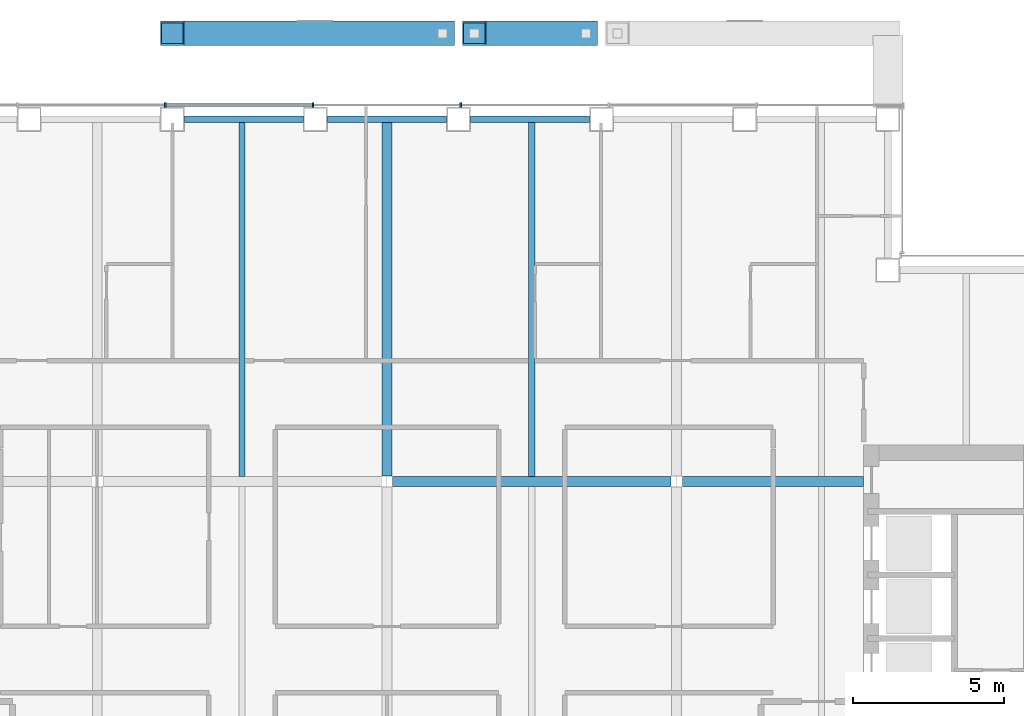
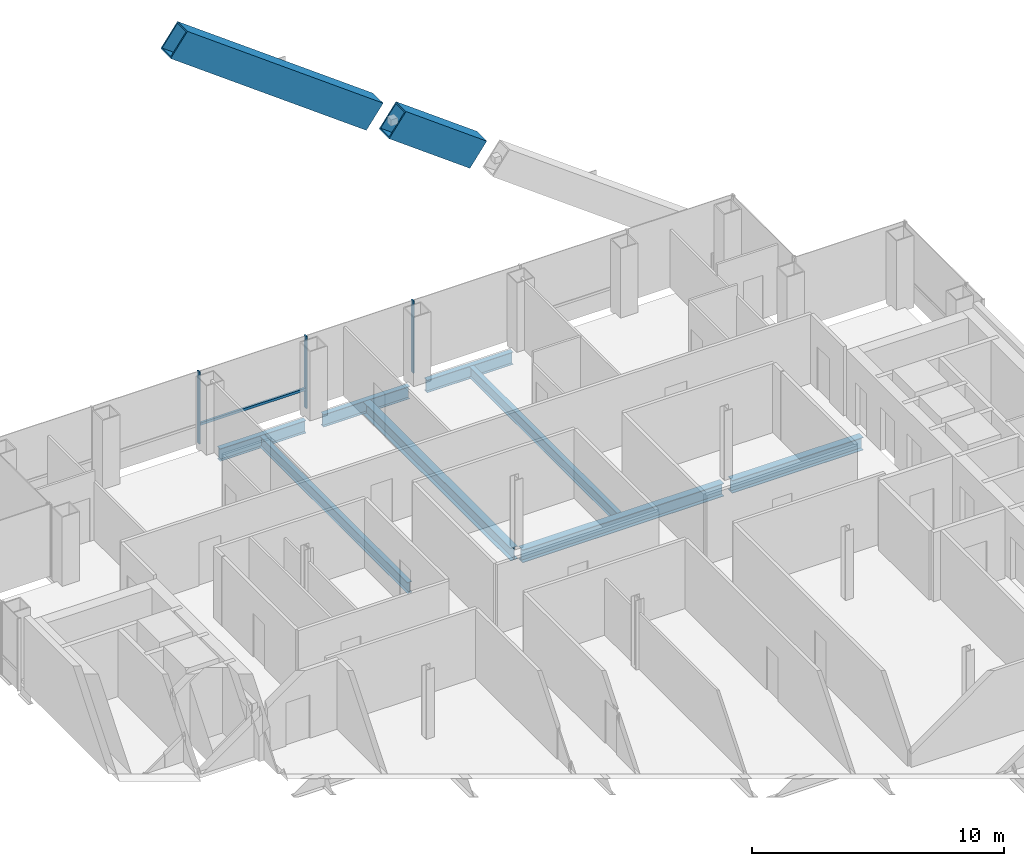
# One storey, part 9 of 17: 8 beams, 6 members, 1 element without a shape of its own.
"""IFC4 building model written with IfcOpenShell, lengths in metres."""

from ifc_helpers import new_model, si_unit, direction, frame, origin, origin_2d, place, context, subcontext, project, spatial, rectangle, hollow_rectangle, i_section, extrude, material, material_profile, profile_set, type_object, element, aggregate, save


model = new_model("IFC4")

# Units and contexts
model_context = context("Model", 3, precision=1e-05, world=origin(), true_north=direction((0.0, 1.0)))
body_context = subcontext(model_context, "Body", "Model", "MODEL_VIEW")
ifc_project = project(units=[si_unit("LENGTHUNIT", "METRE"), si_unit("AREAUNIT", "SQUARE_METRE"), si_unit("VOLUMEUNIT", "CUBIC_METRE"), si_unit("PLANEANGLEUNIT", "RADIAN"), si_unit("MASSUNIT", "GRAM", prefix="KILO")], contexts=[model_context])

# Site, building, storey
site_placement = place(None, origin())
site = spatial("IfcSite", under=ifc_project, at=site_placement, CompositionType="ELEMENT")
building_placement = place(site_placement, origin())
building = spatial("IfcBuilding", under=site, at=building_placement, Name="Cobrizo Arcos Hotel Tower", CompositionType="ELEMENT")
storey_placement = place(building_placement, frame((0.0, 0.0, 151.5)))
storey = spatial("IfcBuildingStorey", under=building, at=storey_placement, Name="L38", CompositionType="ELEMENT", Elevation=151.5)

# Members
ifc_material_1 = material(Name="Steel ASTM A572 Grade 50", Category="steel")
ifc_material_profile_1 = material_profile(ifc_material_1, hollow_rectangle(XDim=0.800048828125, YDim=1.300048828125, WallThickness=0.06005859375, at=origin_2d()), Name="BOX 800X1300X60")
ifc_profile_set_1 = profile_set([ifc_material_profile_1], Name="Steel ASTM A572 Grade 50")
member_type_1 = type_object("IfcMemberType", Name="BOX 800X1300X60 perimeter brace", PredefinedType="BRACE", material=ifc_profile_set_1)
member_1_placement = place(storey_placement, frame((6.591064453125, 24.449951171875, 7.885986328125), z_axis=(-0.804612164142, 0.0, 0.593800694943), x_axis=(0.0, -1.0, 0.0)))
element("IfcMember", 1, at=member_1_placement, inside=storey, type_object=member_type_1, Name="Perimeter brace PBR3, zone Z3, north face, no. 06b", PredefinedType="BRACE", context=body_context, shape_type="SweptSolid", body=[
    extrude(hollow_rectangle(XDim=0.800048828125, YDim=1.300048828125, WallThickness=0.06005859375, at=origin_2d()), origin(), (0.0, 0.0, 1.0), 4.59423828125),
])
member_2_placement = place(storey_placement, frame((1.84814453125, 24.449951171875, 11.385986328125), z_axis=(-0.804620954099, 0.0, 0.593788784186), x_axis=(0.0, -1.0, 0.0)))
element("IfcMember", 2, at=member_2_placement, inside=storey, type_object=member_type_1, Name="Perimeter brace PBR3, zone Z3, north face, no. 06c", PredefinedType="BRACE", context=body_context, shape_type="SweptSolid", body=[
    extrude(hollow_rectangle(XDim=0.800048828125, YDim=1.300048828125, WallThickness=0.06005859375, at=origin_2d()), origin(), (0.0, 0.0, 1.0), 11.138671875),
])

# Curtain wall, members
ifc_material_2 = material(Name="Aluminium 6063-T6 anodised bronze", Category="aluminium")
curtain_wall_type = type_object("IfcCurtainWallType", Name="CW-A guest facade", PredefinedType="NOTDEFINED", material=ifc_material_2)
curtain_wall_placement = place(storey_placement, origin())
curtain_wall = element("IfcCurtainWall", 3, at=curtain_wall_placement, inside=storey, type_object=curtain_wall_type, Name="CW-A L38 N face", PredefinedType="NOTDEFINED")
ifc_material_profile_2 = material_profile(ifc_material_2, rectangle(XDim=0.14990234375, YDim=0.06005859375, at=origin_2d()), Name="CW-A mullion 150x60")
ifc_profile_set_2 = profile_set([ifc_material_profile_2], Name="Aluminium 6063-T6 anodised bronze")
member_type_2 = type_object("IfcMemberType", Name="CW-A mullion 150x60", PredefinedType="MULLION", material=ifc_profile_set_2)
member_3_placement = place(storey_placement, frame((2.449951171875, 22.074951171875, 0.0), z_axis=(0.0, 0.0, 1.0), x_axis=(0.0, 1.0, 0.0)))
member_3 = element("IfcMember", 4, at=member_3_placement, type_object=member_type_2, Name="CW-A mullion 4", PredefinedType="MULLION", context=body_context, shape_type="SweptSolid", body=[
    extrude(rectangle(XDim=0.14990234375, YDim=0.06005859375, at=origin_2d()), origin(), (0.0, 0.0, 1.0), 3.5),
])
member_4_placement = place(storey_placement, frame((-2.449951171875, 22.074951171875, 0.0), z_axis=(0.0, 0.0, 1.0), x_axis=(0.0, 1.0, 0.0)))
member_4 = element("IfcMember", 5, at=member_4_placement, type_object=member_type_2, Name="CW-A mullion 5", PredefinedType="MULLION", context=body_context, shape_type="SweptSolid", body=[
    extrude(rectangle(XDim=0.14990234375, YDim=0.06005859375, at=origin_2d()), origin(), (0.0, 0.0, 1.0), 3.5),
])
member_5_placement = place(storey_placement, frame((-7.35009765625, 22.074951171875, 0.0), z_axis=(0.0, 0.0, 1.0), x_axis=(0.0, 1.0, 0.0)))
member_5 = element("IfcMember", 6, at=member_5_placement, type_object=member_type_2, Name="CW-A mullion 6", PredefinedType="MULLION", context=body_context, shape_type="SweptSolid", body=[
    extrude(rectangle(XDim=0.14990234375, YDim=0.06005859375, at=origin_2d()), origin(), (0.0, 0.0, 1.0), 3.5),
])
ifc_material_profile_3 = material_profile(ifc_material_2, rectangle(XDim=0.10009765625, YDim=0.1201171875, at=origin_2d()), Name="CW-A transom 120x100")
ifc_profile_set_3 = profile_set([ifc_material_profile_3], Name="Aluminium 6063-T6 anodised bronze")
member_type_3 = type_object("IfcMemberType", Name="CW-A transom 120x100", PredefinedType="USERDEFINED", material=ifc_profile_set_3)
member_6_placement = place(storey_placement, frame((-2.47998046875, 22.074951171875, 0.929931640625), z_axis=(-1.0, 0.0, 0.0), x_axis=(0.0, -1.0, 0.0)))
member_6 = element("IfcMember", 7, at=member_6_placement, type_object=member_type_3, Name="CW-A transom 1385", ObjectType="TRANSOM", PredefinedType="USERDEFINED", context=body_context, shape_type="SweptSolid", body=[
    extrude(rectangle(XDim=0.10009765625, YDim=0.1201171875, at=origin_2d()), origin(), (0.0, 0.0, 1.0), 4.840087890625),
])
aggregate(curtain_wall, [member_3, member_4, member_5, member_6])

# Beams
ifc_material_3 = material(Name="Steel ASTM A992 Grade 50", Category="steel")
ifc_material_profile_4 = material_profile(ifc_material_3, i_section(OverallWidth=0.209228515625, OverallDepth=0.533447265625, WebThickness=0.01025390625, FlangeThickness=0.015625, at=origin_2d()), Name="W21X62")
ifc_profile_set_4 = profile_set([ifc_material_profile_4], Name="Steel ASTM A992 Grade 50")
beam_type_1 = type_object("IfcBeamType", Name="W21X62 joist", PredefinedType="JOIST", material=ifc_profile_set_4)
for number, where, z_axis, x_axis, name in (
    (8, (-4.800048828125, 9.763916015625, -0.416748046875), (0.0, 1.0, 0.0), (-1.0, 0.0, 0.0), "Floor joist J1, L38, no. 010"),
    (9, (4.800048828125, 9.763916015625, -0.416748046875), (0.0, 1.0, 0.0), (-1.0, 0.0, 0.0), "Floor joist J1, L38, no. 014"),
):
    element("IfcBeam", number, at=place(storey_placement, frame(where, z_axis=z_axis, x_axis=x_axis)), inside=storey, type_object=beam_type_1, Name=name, PredefinedType="JOIST", context=body_context, shape_type="SweptSolid", body=[
        extrude(i_section(OverallWidth=0.209228515625, OverallDepth=0.533447265625, WebThickness=0.01025390625, FlangeThickness=0.015625, at=origin_2d()), origin(), (0.0, 0.0, 1.0), 11.74609375),
    ])
ifc_material_profile_5 = material_profile(ifc_material_3, i_section(OverallWidth=0.32763671875, OverallDepth=0.622314453125, WebThickness=0.015380859375, FlangeThickness=0.0244140625, at=origin_2d()), Name="W24X131")
ifc_profile_set_5 = profile_set([ifc_material_profile_5], Name="Steel ASTM A992 Grade 50")
beam_type_2 = type_object("IfcBeamType", Name="W24X131 girder", PredefinedType="BEAM", material=ifc_profile_set_5)
beam_1_placement = place(storey_placement, frame((0.186767578125, 9.60009765625, -0.461181640625), z_axis=(1.0, 0.0, 0.0), x_axis=(0.0, 1.0, 0.0)))
element("IfcBeam", 10, at=beam_1_placement, inside=storey, type_object=beam_type_2, Name="Floor girder G1, L38, no. 011", PredefinedType="BEAM", context=body_context, shape_type="SweptSolid", body=[
    extrude(i_section(OverallWidth=0.32763671875, OverallDepth=0.622314453125, WebThickness=0.015380859375, FlangeThickness=0.0244140625, at=origin_2d()), origin(), (0.0, 0.0, 1.0), 9.2265625),
])
beam_2_placement = place(storey_placement, frame((9.78662109375, 9.60009765625, -0.461181640625), z_axis=(1.0, 0.0, 0.0), x_axis=(0.0, 1.0, 0.0)))
element("IfcBeam", 11, at=beam_2_placement, inside=storey, type_object=beam_type_2, Name="Floor girder G1, L38, no. 012", PredefinedType="BEAM", context=body_context, shape_type="SweptSolid", body=[
    extrude(i_section(OverallWidth=0.32763671875, OverallDepth=0.622314453125, WebThickness=0.015380859375, FlangeThickness=0.0244140625, at=origin_2d()), origin(), (0.0, 0.0, 1.0), 6.00341796875),
])
beam_3_placement = place(storey_placement, frame((0.0, 9.78662109375, -0.461181640625), z_axis=(0.0, 1.0, 0.0), x_axis=(-1.0, 0.0, 0.0)))
element("IfcBeam", 12, at=beam_3_placement, inside=storey, type_object=beam_type_2, Name="Floor girder G1, L38, no. 020", PredefinedType="BEAM", context=body_context, shape_type="SweptSolid", body=[
    extrude(i_section(OverallWidth=0.32763671875, OverallDepth=0.622314453125, WebThickness=0.015380859375, FlangeThickness=0.0244140625, at=origin_2d()), origin(), (0.0, 0.0, 1.0), 11.723388671875),
])
ifc_material_profile_6 = material_profile(ifc_material_3, i_section(OverallWidth=0.228271484375, OverallDepth=0.607177734375, WebThickness=0.01123046875, FlangeThickness=0.017333984375, at=origin_2d()), Name="W24X76")
ifc_profile_set_6 = profile_set([ifc_material_profile_6], Name="Steel ASTM A992 Grade 50")
beam_type_3 = type_object("IfcBeamType", Name="W24X76 spandrel", PredefinedType="SPANDREL", material=ifc_profile_set_6)
beam_4_placement = place(storey_placement, frame((6.714111328125, 21.60009765625, -0.45361328125), z_axis=(-1.0, 0.0, 0.0), x_axis=(0.0, -1.0, 0.0)))
element("IfcBeam", 13, at=beam_4_placement, inside=storey, type_object=beam_type_3, Name="Spandrel beam W24X76, L38, no. 018", PredefinedType="SPANDREL", context=body_context, shape_type="SweptSolid", body=[
    extrude(i_section(OverallWidth=0.228271484375, OverallDepth=0.607177734375, WebThickness=0.01123046875, FlangeThickness=0.017333984375, at=origin_2d()), origin(), (0.0, 0.0, 1.0), 3.943115234375),
])
beam_5_placement = place(storey_placement, frame((1.970947265625, 21.60009765625, -0.45361328125), z_axis=(-1.0, 0.0, 0.0), x_axis=(0.0, -1.0, 0.0)))
element("IfcBeam", 14, at=beam_5_placement, inside=storey, type_object=beam_type_3, Name="Spandrel beam W24X76, L38, no. 019", PredefinedType="SPANDREL", context=body_context, shape_type="SweptSolid", body=[
    extrude(i_section(OverallWidth=0.228271484375, OverallDepth=0.607177734375, WebThickness=0.01123046875, FlangeThickness=0.017333984375, at=origin_2d()), origin(), (0.0, 0.0, 1.0), 3.94189453125),
])
beam_6_placement = place(storey_placement, frame((-2.77099609375, 21.60009765625, -0.45361328125), z_axis=(-1.0, 0.0, 0.0), x_axis=(0.0, -1.0, 0.0)))
element("IfcBeam", 15, at=beam_6_placement, inside=storey, type_object=beam_type_3, Name="Spandrel beam W24X76, L38, no. 020", PredefinedType="SPANDREL", context=body_context, shape_type="SweptSolid", body=[
    extrude(i_section(OverallWidth=0.228271484375, OverallDepth=0.607177734375, WebThickness=0.01123046875, FlangeThickness=0.017333984375, at=origin_2d()), origin(), (0.0, 0.0, 1.0), 3.943115234375),
])

save(model, "model.ifc")
